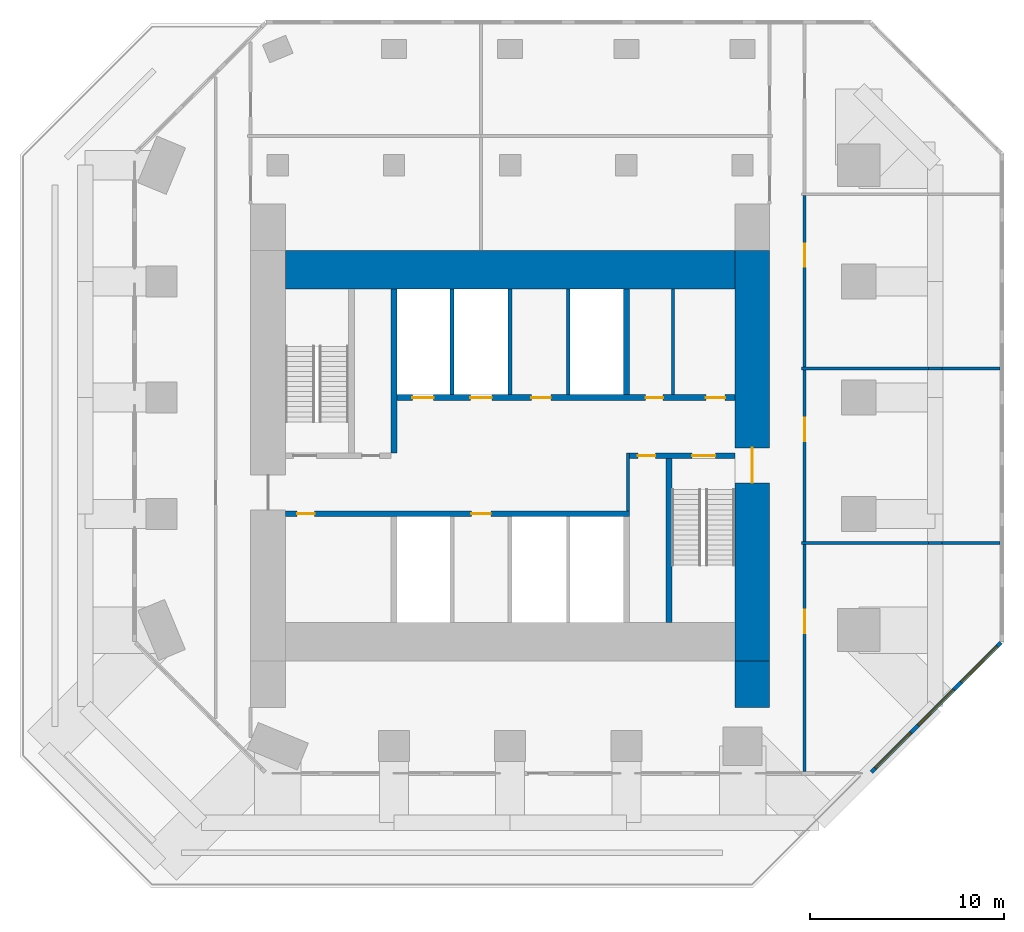
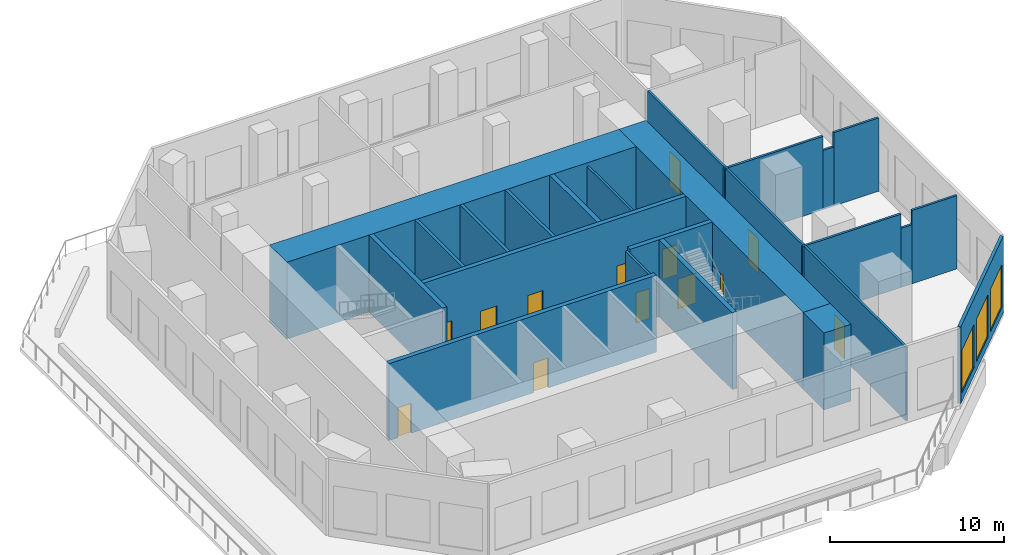
# One storey, part 3 of 6: 24 walls, 13 doors, 3 windows, 16 openings.
"""IFC4 building model written with IfcOpenShell, lengths in metres."""

from ifc_helpers import new_model, si_unit, direction, frame, frame_2d, origin, place, context, subcontext, project, spatial, rectangle, extrude, material, layer, layer_set, type_object, element, fill, save


model = new_model("IFC4")

# Units and contexts
model_context = context("Model", 3, precision=1e-05, world=origin(), true_north=direction((0.0, 1.0)))
body_context = subcontext(model_context, "Body", "Model", "MODEL_VIEW")
ifc_project = project(units=[si_unit("LENGTHUNIT", "METRE"), si_unit("AREAUNIT", "SQUARE_METRE"), si_unit("VOLUMEUNIT", "CUBIC_METRE"), si_unit("PLANEANGLEUNIT", "RADIAN"), si_unit("MASSUNIT", "GRAM", prefix="KILO")], contexts=[model_context])

# Site, building, storey
site_placement = place(None, origin())
site = spatial("IfcSite", under=ifc_project, at=site_placement, CompositionType="ELEMENT")
building_placement = place(site_placement, origin())
building = spatial("IfcBuilding", under=site, at=building_placement, Name="Highveld Stack Headquarters", CompositionType="ELEMENT")
storey_placement = place(building_placement, frame((0.0, 0.0, 239.60009765625)))
storey = spatial("IfcBuildingStorey", under=building, at=storey_placement, Name="L59", CompositionType="ELEMENT", Elevation=239.60009765625)

# Wall, opening, door
ifc_material_1 = material(Name="Concrete C60/75", Category="concrete")
ifc_layer_1 = layer(ifc_material_1, 1.800048828125)
ifc_layer_set_1 = layer_set([ifc_layer_1], Name="Concrete C60/75")
wall_type_1 = type_object("IfcWallType", Name="CORE WALL 1800 C60/75", PredefinedType="SHEAR", material=ifc_layer_set_1)
wall_1_placement = place(storey_placement, frame((18.5, -7.60009765625, 0.0), z_axis=(0.0, 0.0, 1.0), x_axis=(0.0, 1.0, 0.0)))
wall_1 = element("IfcWall", 1, at=wall_1_placement, inside=storey, type_object=wall_type_1, Name="Core wall E L59", PredefinedType="SHEAR", context=body_context, shape_type="SweptSolid", body=[
    extrude(rectangle(XDim=21.2001953125, YDim=1.800048828125, at=frame_2d((10.60009765625, 0.0))), origin(), (0.0, 0.0, 1.0), 5.39990234375),
])
opening_1_placement = place(wall_1_placement, frame((9.199951171875, 0.0, 0.0)))
opening_1 = element("IfcOpeningElement", 2, at=opening_1_placement, cuts=wall_1, Name="Opening L59-03", PredefinedType="OPENING", context=body_context, shape_type="SweptSolid", body=[
    extrude(rectangle(XDim=1.800048828125, YDim=2.39990234375, at=frame_2d((0.89990234375, 1.199951171875))), frame((0.0, 0.909912109375, 0.0), z_axis=(0.0, -1.0, 0.0), x_axis=(1.0, 0.0, 0.0)), (0.0, 0.0, 1.0), 1.820068359375),
])
ifc_material_2 = material(Name="Steel fire door", Category="steel")
door_type_1 = type_object("IfcDoorType", Name="LOBBY FIRE DOOR D4 1800x2400", OperationType="DOUBLE_DOOR_SINGLE_SWING", PredefinedType="DOOR", material=ifc_material_2)
door_1_placement = place(opening_1_placement, origin())
door_1 = element("IfcDoor", 3, at=door_1_placement, inside=storey, type_object=door_type_1, Name="Core east door L59", OperationType="DOUBLE_DOOR_SINGLE_SWING", OverallHeight=2.39990234375, OverallWidth=1.800048828125, PredefinedType="DOOR", context=body_context, shape_type="SweptSolid", body=[
    extrude(rectangle(XDim=1.800048828125, YDim=2.39990234375, at=frame_2d((0.89990234375, 1.199951171875))), frame((0.0, 0.02490234375, 0.0), z_axis=(0.0, -1.0, 0.0), x_axis=(1.0, 0.0, 0.0)), (0.0, 0.0, 1.0), 0.050048828125),
])
fill(opening_1, door_1)

# Wall
ifc_material_3 = material(Name="Concrete C60/75", Category="concrete")
ifc_layer_2 = layer(ifc_material_3, 2.0)
ifc_layer_set_2 = layer_set([ifc_layer_2], Name="Concrete C60/75")
wall_type_2 = type_object("IfcWallType", Name="CORE WALL 2000 C60/75", PredefinedType="SHEAR", material=ifc_layer_set_2)
wall_2_placement = place(storey_placement, frame((-5.60009765625, 12.60009765625, 0.0), z_axis=(0.0, 0.0, 1.0), x_axis=(1.0, 0.0, 0.0)))
element("IfcWall", 4, at=wall_2_placement, inside=storey, type_object=wall_type_2, Name="Core wall N L59", PredefinedType="SHEAR", context=body_context, shape_type="SweptSolid", body=[
    extrude(rectangle(XDim=23.2001953125, YDim=2.0, at=frame_2d((11.60009765625, 0.0))), origin(), (0.0, 0.0, 1.0), 5.39990234375),
])

# Wall, openings, doors
ifc_material_4 = material(Name="Concrete C60/75", Category="concrete")
ifc_layer_3 = layer(ifc_material_4, 0.300048828125)
ifc_layer_set_3 = layer_set([ifc_layer_3], Name="Concrete C60/75")
wall_type_3 = type_object("IfcWallType", Name="CORE WALL 300 C60/75", PredefinedType="SHEAR", material=ifc_layer_set_3)
wall_3_placement = place(storey_placement, frame((-5.60009765625, 0.0, 0.0), z_axis=(0.0, 0.0, 1.0), x_axis=(1.0, 0.0, 0.0)))
wall_3 = element("IfcWall", 5, at=wall_3_placement, inside=storey, type_object=wall_type_3, Name="Core wall I-Y0 L59", PredefinedType="SHEAR", context=body_context, shape_type="SweptSolid", body=[
    extrude(rectangle(XDim=17.75, YDim=0.300048828125, at=frame_2d((8.875, 0.0))), origin(), (0.0, 0.0, 1.0), 5.39990234375),
])
opening_2_placement = place(wall_3_placement, frame((0.60009765625, 0.0, 0.0)))
opening_2 = element("IfcOpeningElement", 6, at=opening_2_placement, cuts=wall_3, Name="Opening L59-08", PredefinedType="OPENING", context=body_context, shape_type="SweptSolid", body=[
    extrude(rectangle(XDim=0.89990234375, YDim=2.10009765625, at=frame_2d((0.449951171875, 1.050048828125))), frame((0.0, 0.159912109375, 0.0), z_axis=(0.0, -1.0, 0.0), x_axis=(1.0, 0.0, 0.0)), (0.0, 0.0, 1.0), 0.320068359375),
])
opening_3_placement = place(wall_3_placement, frame((9.60009765625, 0.0, 0.0)))
opening_3 = element("IfcOpeningElement", 7, at=opening_3_placement, cuts=wall_3, Name="Opening L59-12", PredefinedType="OPENING", context=body_context, shape_type="SweptSolid", body=[
    extrude(rectangle(XDim=1.0, YDim=2.10009765625, at=frame_2d((0.5, 1.050048828125))), frame((0.0, 0.159912109375, 0.0), z_axis=(0.0, -1.0, 0.0), x_axis=(1.0, 0.0, 0.0)), (0.0, 0.0, 1.0), 0.320068359375),
])
ifc_material_5 = material(Name="Steel fire door", Category="steel")
door_type_2 = type_object("IfcDoorType", Name="CORE ROOM FIRE DOOR D14 1000x2100", OperationType="SINGLE_SWING_LEFT", PredefinedType="DOOR", material=ifc_material_5)
door_2_placement = place(opening_3_placement, origin())
door_2 = element("IfcDoor", 8, at=door_2_placement, inside=storey, type_object=door_type_2, Name="Capped B 1 door L59", OperationType="SINGLE_SWING_RIGHT", OverallHeight=2.10009765625, OverallWidth=1.0, PredefinedType="DOOR", context=body_context, shape_type="SweptSolid", body=[
    extrude(rectangle(XDim=1.0, YDim=2.10009765625, at=frame_2d((0.5, 1.050048828125))), frame((0.0, 0.02490234375, 0.0), z_axis=(0.0, -1.0, 0.0), x_axis=(1.0, 0.0, 0.0)), (0.0, 0.0, 1.0), 0.050048828125),
])
fill(opening_3, door_2)
ifc_material_6 = material(Name="Timber door, painted", Category="wood")
door_type_3 = type_object("IfcDoorType", Name="WC DOOR D1 900x2100", OperationType="SINGLE_SWING_LEFT", PredefinedType="DOOR", material=ifc_material_6)
door_3_placement = place(opening_2_placement, origin())
door_3 = element("IfcDoor", 9, at=door_3_placement, inside=storey, type_object=door_type_3, Name="Female WC door L59", OperationType="SINGLE_SWING_LEFT", OverallHeight=2.10009765625, OverallWidth=0.89990234375, PredefinedType="DOOR", context=body_context, shape_type="SweptSolid", body=[
    extrude(rectangle(XDim=0.89990234375, YDim=2.10009765625, at=frame_2d((0.449951171875, 1.050048828125))), frame((0.0, 0.02490234375, 0.0), z_axis=(0.0, -1.0, 0.0), x_axis=(1.0, 0.0, 0.0)), (0.0, 0.0, 1.0), 0.050048828125),
])
fill(opening_2, door_3)

wall_4_placement = place(storey_placement, frame((12.14990234375, 3.0, 0.0), z_axis=(0.0, 0.0, 1.0), x_axis=(1.0, 0.0, 0.0)))
wall_4 = element("IfcWall", 10, at=wall_4_placement, inside=storey, type_object=wall_type_3, Name="Core wall I-Y3E L59", PredefinedType="SHEAR", context=body_context, shape_type="SweptSolid", body=[
    extrude(rectangle(XDim=5.4501953125, YDim=0.300048828125, at=frame_2d((2.72509765625, 0.0))), origin(), (0.0, 0.0, 1.0), 5.39990234375),
])
opening_4_placement = place(wall_4_placement, frame((3.25, 0.0, 0.0)))
opening_4 = element("IfcOpeningElement", 11, at=opening_4_placement, cuts=wall_4, Name="Opening L59-06", PredefinedType="OPENING", context=body_context, shape_type="SweptSolid", body=[
    extrude(rectangle(XDim=1.199951171875, YDim=2.10009765625, at=frame_2d((0.60009765625, 1.050048828125))), frame((0.0, 0.159912109375, 0.0), z_axis=(0.0, -1.0, 0.0), x_axis=(1.0, 0.0, 0.0)), (0.0, 0.0, 1.0), 0.320068359375),
])
opening_5_placement = place(wall_4_placement, frame((0.449951171875, 0.0, 0.0)))
opening_5 = element("IfcOpeningElement", 12, at=opening_5_placement, cuts=wall_4, Name="Opening L59-07", PredefinedType="OPENING", context=body_context, shape_type="SweptSolid", body=[
    extrude(rectangle(XDim=0.89990234375, YDim=2.10009765625, at=frame_2d((0.449951171875, 1.050048828125))), frame((0.0, 0.159912109375, 0.0), z_axis=(0.0, -1.0, 0.0), x_axis=(1.0, 0.0, 0.0)), (0.0, 0.0, 1.0), 0.320068359375),
])
ifc_material_7 = material(Name="Steel fire door", Category="steel")
door_type_4 = type_object("IfcDoorType", Name="RISER ACCESS DOOR D5 900x2100", OperationType="SINGLE_SWING_LEFT", PredefinedType="DOOR", material=ifc_material_7)
door_4_placement = place(opening_5_placement, origin())
door_4 = element("IfcDoor", 13, at=door_4_placement, inside=storey, type_object=door_type_4, Name="Riser R2 door L59", OperationType="SINGLE_SWING_LEFT", OverallHeight=2.10009765625, OverallWidth=0.89990234375, PredefinedType="DOOR", context=body_context, shape_type="SweptSolid", body=[
    extrude(rectangle(XDim=0.89990234375, YDim=2.10009765625, at=frame_2d((0.449951171875, 1.050048828125))), frame((0.0, 0.02490234375, 0.0), z_axis=(0.0, -1.0, 0.0), x_axis=(1.0, 0.0, 0.0)), (0.0, 0.0, 1.0), 0.050048828125),
])
fill(opening_5, door_4)
ifc_material_8 = material(Name="Steel fire door", Category="steel")
door_type_5 = type_object("IfcDoorType", Name="STAIR FIRE DOOR D3 1200x2100", OperationType="SINGLE_SWING_LEFT", PredefinedType="DOOR", material=ifc_material_8)
door_5_placement = place(opening_4_placement, origin())
door_5 = element("IfcDoor", 14, at=door_5_placement, inside=storey, type_object=door_type_5, Name="Stair S2 door L59", OperationType="SINGLE_SWING_RIGHT", OverallHeight=2.10009765625, OverallWidth=1.199951171875, PredefinedType="DOOR", context=body_context, shape_type="SweptSolid", body=[
    extrude(rectangle(XDim=1.199951171875, YDim=2.10009765625, at=frame_2d((0.60009765625, 1.050048828125))), frame((0.0, 0.02490234375, 0.0), z_axis=(0.0, -1.0, 0.0), x_axis=(1.0, 0.0, 0.0)), (0.0, 0.0, 1.0), 0.050048828125),
])
fill(opening_4, door_5)

wall_5_placement = place(storey_placement, frame((-0.14990234375, 6.0, 0.0), z_axis=(0.0, 0.0, 1.0), x_axis=(1.0, 0.0, 0.0)))
wall_5 = element("IfcWall", 15, at=wall_5_placement, inside=storey, type_object=wall_type_3, Name="Core wall I-Y6 L59", PredefinedType="SHEAR", context=body_context, shape_type="SweptSolid", body=[
    extrude(rectangle(XDim=17.75, YDim=0.300048828125, at=frame_2d((8.875, 0.0))), origin(), (0.0, 0.0, 1.0), 5.39990234375),
])
opening_6_placement = place(wall_5_placement, frame((13.14990234375, 0.0, 0.0)))
opening_6 = element("IfcOpeningElement", 16, at=opening_6_placement, cuts=wall_5, Name="Opening L59-09", PredefinedType="OPENING", context=body_context, shape_type="SweptSolid", body=[
    extrude(rectangle(XDim=0.89990234375, YDim=2.10009765625, at=frame_2d((0.449951171875, 1.050048828125))), frame((0.0, 0.159912109375, 0.0), z_axis=(0.0, -1.0, 0.0), x_axis=(1.0, 0.0, 0.0)), (0.0, 0.0, 1.0), 0.320068359375),
])
opening_7_placement = place(wall_5_placement, frame((16.25, 0.0, 0.0)))
opening_7 = element("IfcOpeningElement", 17, at=opening_7_placement, cuts=wall_5, Name="Opening L59-10", PredefinedType="OPENING", context=body_context, shape_type="SweptSolid", body=[
    extrude(rectangle(XDim=1.0, YDim=2.10009765625, at=frame_2d((0.5, 1.050048828125))), frame((0.0, 0.159912109375, 0.0), z_axis=(0.0, -1.0, 0.0), x_axis=(1.0, 0.0, 0.0)), (0.0, 0.0, 1.0), 0.320068359375),
])
opening_8_placement = place(wall_5_placement, frame((7.25, 0.0, 0.0)))
opening_8 = element("IfcOpeningElement", 18, at=opening_8_placement, cuts=wall_5, Name="Opening L59-11", PredefinedType="OPENING", context=body_context, shape_type="SweptSolid", body=[
    extrude(rectangle(XDim=1.0, YDim=2.10009765625, at=frame_2d((0.5, 1.050048828125))), frame((0.0, 0.159912109375, 0.0), z_axis=(0.0, -1.0, 0.0), x_axis=(1.0, 0.0, 0.0)), (0.0, 0.0, 1.0), 0.320068359375),
])
opening_9_placement = place(wall_5_placement, frame((1.10009765625, 0.0, 0.0)))
opening_9 = element("IfcOpeningElement", 19, at=opening_9_placement, cuts=wall_5, Name="Opening LD", PredefinedType="OPENING", context=body_context, shape_type="SweptSolid", body=[
    extrude(rectangle(XDim=1.10009765625, YDim=2.10009765625, at=frame_2d((0.550048828125, 1.050048828125))), frame((0.0, 0.159912109375, 0.0), z_axis=(0.0, -1.0, 0.0), x_axis=(1.0, 0.0, 0.0)), (0.0, 0.0, 1.0), 0.320068359375),
])
opening_10_placement = place(wall_5_placement, frame((4.10009765625, 0.0, 0.0)))
opening_10 = element("IfcOpeningElement", 20, at=opening_10_placement, cuts=wall_5, Name="Opening LD", PredefinedType="OPENING", context=body_context, shape_type="SweptSolid", body=[
    extrude(rectangle(XDim=1.10009765625, YDim=2.10009765625, at=frame_2d((0.550048828125, 1.050048828125))), frame((0.0, 0.159912109375, 0.0), z_axis=(0.0, -1.0, 0.0), x_axis=(1.0, 0.0, 0.0)), (0.0, 0.0, 1.0), 0.320068359375),
])
ifc_material_9 = material(Name="Timber door, painted", Category="wood")
door_type_6 = type_object("IfcDoorType", Name="ACCESSIBLE WC DOOR D2 1000x2100", OperationType="SINGLE_SWING_RIGHT", PredefinedType="DOOR", material=ifc_material_9)
door_6_placement = place(opening_7_placement, origin())
door_6 = element("IfcDoor", 21, at=door_6_placement, inside=storey, type_object=door_type_6, Name="Accessible WC door L59", OperationType="SINGLE_SWING_RIGHT", OverallHeight=2.10009765625, OverallWidth=1.0, PredefinedType="DOOR", context=body_context, shape_type="SweptSolid", body=[
    extrude(rectangle(XDim=1.0, YDim=2.10009765625, at=frame_2d((0.5, 1.050048828125))), frame((0.0, 0.02490234375, 0.0), z_axis=(0.0, -1.0, 0.0), x_axis=(1.0, 0.0, 0.0)), (0.0, 0.0, 1.0), 0.050048828125),
])
fill(opening_7, door_6)
door_7_placement = place(opening_8_placement, origin())
door_7 = element("IfcDoor", 22, at=door_7_placement, inside=storey, type_object=door_type_2, Name="Capped A 1 door L59", OperationType="SINGLE_SWING_LEFT", OverallHeight=2.10009765625, OverallWidth=1.0, PredefinedType="DOOR", context=body_context, shape_type="SweptSolid", body=[
    extrude(rectangle(XDim=1.0, YDim=2.10009765625, at=frame_2d((0.5, 1.050048828125))), frame((0.0, 0.02490234375, 0.0), z_axis=(0.0, -1.0, 0.0), x_axis=(1.0, 0.0, 0.0)), (0.0, 0.0, 1.0), 0.050048828125),
])
fill(opening_8, door_7)
ifc_material_10 = material(Name="Stainless steel lift landing door", Category="steel")
door_type_7 = type_object("IfcDoorType", Name="LIFT LANDING DOOR LD 1100x2100", OperationType="DOUBLE_DOOR_SLIDING", PredefinedType="USERDEFINED", material=ifc_material_10)
door_8_placement = place(opening_9_placement, origin())
door_8 = element("IfcDoor", 23, at=door_8_placement, inside=storey, type_object=door_type_7, Name="Lift landing door FF1 L59", ObjectType="LIFT LANDING DOOR", OperationType="DOUBLE_DOOR_SLIDING", OverallHeight=2.10009765625, OverallWidth=1.10009765625, PredefinedType="USERDEFINED", context=body_context, shape_type="SweptSolid", body=[
    extrude(rectangle(XDim=1.10009765625, YDim=2.10009765625, at=frame_2d((0.550048828125, 1.050048828125))), frame((0.0, 0.02490234375, 0.0), z_axis=(0.0, -1.0, 0.0), x_axis=(1.0, 0.0, 0.0)), (0.0, 0.0, 1.0), 0.050048828125),
])
fill(opening_9, door_8)
door_9_placement = place(opening_10_placement, origin())
door_9 = element("IfcDoor", 24, at=door_9_placement, inside=storey, type_object=door_type_7, Name="Lift landing door FF2 L59", ObjectType="LIFT LANDING DOOR", OperationType="DOUBLE_DOOR_SLIDING", OverallHeight=2.10009765625, OverallWidth=1.10009765625, PredefinedType="USERDEFINED", context=body_context, shape_type="SweptSolid", body=[
    extrude(rectangle(XDim=1.10009765625, YDim=2.10009765625, at=frame_2d((0.550048828125, 1.050048828125))), frame((0.0, 0.02490234375, 0.0), z_axis=(0.0, -1.0, 0.0), x_axis=(1.0, 0.0, 0.0)), (0.0, 0.0, 1.0), 0.050048828125),
])
fill(opening_10, door_9)
door_10_placement = place(opening_6_placement, origin())
door_10 = element("IfcDoor", 25, at=door_10_placement, inside=storey, type_object=door_type_3, Name="Male WC door L59", OperationType="SINGLE_SWING_RIGHT", OverallHeight=2.10009765625, OverallWidth=0.89990234375, PredefinedType="DOOR", context=body_context, shape_type="SweptSolid", body=[
    extrude(rectangle(XDim=0.89990234375, YDim=2.10009765625, at=frame_2d((0.449951171875, 1.050048828125))), frame((0.0, 0.02490234375, 0.0), z_axis=(0.0, -1.0, 0.0), x_axis=(1.0, 0.0, 0.0)), (0.0, 0.0, 1.0), 0.050048828125),
])
fill(opening_6, door_10)

# Walls
wall_6_placement = place(storey_placement, frame((0.0, 3.14990234375, 0.0), z_axis=(0.0, 0.0, 1.0), x_axis=(0.0, 1.0, 0.0)))
element("IfcWall", 26, at=wall_6_placement, inside=storey, type_object=wall_type_3, Name="Core wall I-X0N L59", PredefinedType="SHEAR", context=body_context, shape_type="SweptSolid", body=[
    extrude(rectangle(XDim=8.4501953125, YDim=0.300048828125, at=frame_2d((4.22509765625, 0.0))), origin(), (0.0, 0.0, 1.0), 5.39990234375),
])
wall_7_placement = place(storey_placement, frame((12.0, 6.14990234375, 0.0), z_axis=(0.0, 0.0, 1.0), x_axis=(0.0, 1.0, 0.0)))
element("IfcWall", 27, at=wall_7_placement, inside=storey, type_object=wall_type_3, Name="Core wall I-X12N L59", PredefinedType="SHEAR", context=body_context, shape_type="SweptSolid", body=[
    extrude(rectangle(XDim=5.4501953125, YDim=0.300048828125, at=frame_2d((2.72509765625, 0.0))), origin(), (0.0, 0.0, 1.0), 5.39990234375),
])
wall_8_placement = place(storey_placement, frame((14.199951171875, -5.60009765625, 0.0), z_axis=(0.0, 0.0, 1.0), x_axis=(0.0, 1.0, 0.0)))
element("IfcWall", 28, at=wall_8_placement, inside=storey, type_object=wall_type_3, Name="Core wall I-RE L59", PredefinedType="SHEAR", context=body_context, shape_type="SweptSolid", body=[
    extrude(rectangle(XDim=8.4501953125, YDim=0.300048828125, at=frame_2d((4.22509765625, 0.0))), origin(), (0.0, 0.0, 1.0), 5.39990234375),
])
ifc_material_11 = material(Name="Concrete C60/75", Category="concrete")
ifc_layer_4 = layer(ifc_material_11, 1.800048828125)
ifc_layer_set_4 = layer_set([ifc_layer_4], Name="Concrete C60/75")
wall_type_4 = type_object("IfcWallType", Name="CORE WING WALL 1800 C60/75", PredefinedType="SHEAR", material=ifc_layer_set_4)
wall_9_placement = place(storey_placement, frame((18.5, -10.0, 0.0), z_axis=(0.0, 0.0, 1.0), x_axis=(0.0, 1.0, 0.0)))
element("IfcWall", 29, at=wall_9_placement, inside=storey, type_object=wall_type_4, Name="Core wing wall ES L59", PredefinedType="SHEAR", context=body_context, shape_type="SweptSolid", body=[
    extrude(rectangle(XDim=2.39990234375, YDim=1.800048828125, at=frame_2d((1.199951171875, 0.0))), origin(), (0.0, 0.0, 1.0), 5.39990234375),
])

# Wall, opening, door
ifc_material_12 = material(Name="Concrete blockwork, plastered", Category="masonry")
ifc_layer_5 = layer(ifc_material_12, 0.14990234375)
ifc_layer_set_5 = layer_set([ifc_layer_5], Name="Concrete blockwork, plastered")
wall_type_5 = type_object("IfcWallType", Name="FIRE PARTITION 150 BLOCKWORK", PredefinedType="PARTITIONING", material=ifc_layer_set_5)
wall_10_placement = place(storey_placement, frame((21.199951171875, -13.300048828125, 0.0), z_axis=(0.0, 0.0, 1.0), x_axis=(0.0, 1.0, 0.0)))
wall_10 = element("IfcWall", 30, at=wall_10_placement, inside=storey, type_object=wall_type_5, Name="Partition office neighbourhood L59", PredefinedType="PARTITIONING", context=body_context, shape_type="SweptSolid", body=[
    extrude(rectangle(XDim=11.72509765625, YDim=0.14990234375, at=frame_2d((5.862548828125, 0.0))), origin(), (0.0, 0.0, 1.0), 5.14990234375),
])
opening_11_placement = place(wall_10_placement, frame((7.139892578125, 0.0, 0.0)))
opening_11 = element("IfcOpeningElement", 31, at=opening_11_placement, cuts=wall_10, Name="Opening L59-13", PredefinedType="OPENING", context=body_context, shape_type="SweptSolid", body=[
    extrude(rectangle(XDim=1.199951171875, YDim=2.39990234375, at=frame_2d((0.60009765625, 1.199951171875))), frame((0.0, 0.0849609375, 0.0), z_axis=(0.0, -1.0, 0.0), x_axis=(1.0, 0.0, 0.0)), (0.0, 0.0, 1.0), 0.169921875),
])
ifc_material_13 = material(Name="Steel fire door", Category="steel")
door_type_8 = type_object("IfcDoorType", Name="PLANT FIRE DOOR D7 1200x2400", OperationType="SINGLE_SWING_LEFT", PredefinedType="DOOR", material=ifc_material_13)
door_11_placement = place(opening_11_placement, origin())
door_11 = element("IfcDoor", 32, at=door_11_placement, inside=storey, type_object=door_type_8, Name="Plant room door L59", OperationType="SINGLE_SWING_RIGHT", OverallHeight=2.39990234375, OverallWidth=1.199951171875, PredefinedType="DOOR", context=body_context, shape_type="SweptSolid", body=[
    extrude(rectangle(XDim=1.199951171875, YDim=2.39990234375, at=frame_2d((0.60009765625, 1.199951171875))), frame((0.0, 0.02490234375, 0.0), z_axis=(0.0, -1.0, 0.0), x_axis=(1.0, 0.0, 0.0)), (0.0, 0.0, 1.0), 0.050048828125),
])
fill(opening_11, door_11)

wall_11_placement = place(storey_placement, frame((21.199951171875, -1.425048828125, 0.0), z_axis=(0.0, 0.0, 1.0), x_axis=(0.0, 1.0, 0.0)))
wall_11 = element("IfcWall", 33, at=wall_11_placement, inside=storey, type_object=wall_type_5, Name="Partition office neighbourhood L59", PredefinedType="PARTITIONING", context=body_context, shape_type="SweptSolid", body=[
    extrude(rectangle(XDim=8.85009765625, YDim=0.14990234375, at=frame_2d((4.425048828125, 0.0))), origin(), (0.0, 0.0, 1.0), 5.14990234375),
])
opening_12_placement = place(wall_11_placement, frame((5.175048828125, 0.0, 0.0)))
opening_12 = element("IfcOpeningElement", 34, at=opening_12_placement, cuts=wall_11, Name="Opening L59-14", PredefinedType="OPENING", context=body_context, shape_type="SweptSolid", body=[
    extrude(rectangle(XDim=1.199951171875, YDim=2.39990234375, at=frame_2d((0.60009765625, 1.199951171875))), frame((0.0, 0.0849609375, 0.0), z_axis=(0.0, -1.0, 0.0), x_axis=(1.0, 0.0, 0.0)), (0.0, 0.0, 1.0), 0.169921875),
])
door_12_placement = place(opening_12_placement, origin())
door_12 = element("IfcDoor", 35, at=door_12_placement, inside=storey, type_object=door_type_8, Name="Plant room door L59", OperationType="SINGLE_SWING_RIGHT", OverallHeight=2.39990234375, OverallWidth=1.199951171875, PredefinedType="DOOR", context=body_context, shape_type="SweptSolid", body=[
    extrude(rectangle(XDim=1.199951171875, YDim=2.39990234375, at=frame_2d((0.60009765625, 1.199951171875))), frame((0.0, 0.02490234375, 0.0), z_axis=(0.0, -1.0, 0.0), x_axis=(1.0, 0.0, 0.0)), (0.0, 0.0, 1.0), 0.050048828125),
])
fill(opening_12, door_12)

# Walls
wall_12_placement = place(storey_placement, frame((21.050048828125, -1.5, 0.0), z_axis=(0.0, 0.0, 1.0), x_axis=(1.0, 0.0, 0.0)))
element("IfcWall", 36, at=wall_12_placement, inside=storey, type_object=wall_type_5, Name="Partition office neighbourhood L59", PredefinedType="PARTITIONING", context=body_context, shape_type="SweptSolid", body=[
    extrude(rectangle(XDim=6.5400390625, YDim=0.14990234375, at=frame_2d((3.27001953125, 0.0))), origin(), (0.0, 0.0, 1.0), 5.14990234375),
])
wall_13_placement = place(storey_placement, frame((27.590087890625, -1.5, 0.0), z_axis=(0.0, 0.0, 1.0), x_axis=(1.0, 0.0, 0.0)))
element("IfcWall", 37, at=wall_13_placement, inside=storey, type_object=wall_type_5, Name="Partition office neighbourhood L59", PredefinedType="PARTITIONING", context=body_context, shape_type="SweptSolid", body=[
    extrude(rectangle(XDim=0.719970703125, YDim=0.14990234375, at=frame_2d((0.35986328125, 0.0))), origin(), (0.0, 0.0, 1.0), 4.14990234375),
])
wall_14_placement = place(storey_placement, frame((28.31005859375, -1.5, 0.0), z_axis=(0.0, 0.0, 1.0), x_axis=(1.0, 0.0, 0.0)))
element("IfcWall", 38, at=wall_14_placement, inside=storey, type_object=wall_type_5, Name="Partition office neighbourhood L59", PredefinedType="PARTITIONING", context=body_context, shape_type="SweptSolid", body=[
    extrude(rectangle(XDim=2.989990234375, YDim=0.14990234375, at=frame_2d((1.4951171875, 0.0))), origin(), (0.0, 0.0, 1.0), 5.14990234375),
])

# Wall, opening, door
wall_15_placement = place(storey_placement, frame((21.199951171875, 7.574951171875, 0.0), z_axis=(0.0, 0.0, 1.0), x_axis=(0.0, 1.0, 0.0)))
wall_15 = element("IfcWall", 39, at=wall_15_placement, inside=storey, type_object=wall_type_5, Name="Partition office neighbourhood L59", PredefinedType="PARTITIONING", context=body_context, shape_type="SweptSolid", body=[
    extrude(rectangle(XDim=8.85009765625, YDim=0.14990234375, at=frame_2d((4.425048828125, 0.0))), origin(), (0.0, 0.0, 1.0), 5.14990234375),
])
opening_13_placement = place(wall_15_placement, frame((5.175048828125, 0.0, 0.0)))
opening_13 = element("IfcOpeningElement", 40, at=opening_13_placement, cuts=wall_15, Name="Opening L59-16", PredefinedType="OPENING", context=body_context, shape_type="SweptSolid", body=[
    extrude(rectangle(XDim=1.199951171875, YDim=2.39990234375, at=frame_2d((0.60009765625, 1.199951171875))), frame((0.0, 0.0849609375, 0.0), z_axis=(0.0, -1.0, 0.0), x_axis=(1.0, 0.0, 0.0)), (0.0, 0.0, 1.0), 0.169921875),
])
door_13_placement = place(opening_13_placement, origin())
door_13 = element("IfcDoor", 41, at=door_13_placement, inside=storey, type_object=door_type_8, Name="Plant room door L59", OperationType="SINGLE_SWING_RIGHT", OverallHeight=2.39990234375, OverallWidth=1.199951171875, PredefinedType="DOOR", context=body_context, shape_type="SweptSolid", body=[
    extrude(rectangle(XDim=1.199951171875, YDim=2.39990234375, at=frame_2d((0.60009765625, 1.199951171875))), frame((0.0, 0.02490234375, 0.0), z_axis=(0.0, -1.0, 0.0), x_axis=(1.0, 0.0, 0.0)), (0.0, 0.0, 1.0), 0.050048828125),
])
fill(opening_13, door_13)

# Walls
wall_16_placement = place(storey_placement, frame((21.050048828125, 7.5, 0.0), z_axis=(0.0, 0.0, 1.0), x_axis=(1.0, 0.0, 0.0)))
element("IfcWall", 42, at=wall_16_placement, inside=storey, type_object=wall_type_5, Name="Partition office neighbourhood L59", PredefinedType="PARTITIONING", context=body_context, shape_type="SweptSolid", body=[
    extrude(rectangle(XDim=6.5400390625, YDim=0.14990234375, at=frame_2d((3.27001953125, 0.0))), origin(), (0.0, 0.0, 1.0), 5.14990234375),
])
wall_17_placement = place(storey_placement, frame((27.590087890625, 7.5, 0.0), z_axis=(0.0, 0.0, 1.0), x_axis=(1.0, 0.0, 0.0)))
element("IfcWall", 43, at=wall_17_placement, inside=storey, type_object=wall_type_5, Name="Partition office neighbourhood L59", PredefinedType="PARTITIONING", context=body_context, shape_type="SweptSolid", body=[
    extrude(rectangle(XDim=0.719970703125, YDim=0.14990234375, at=frame_2d((0.35986328125, 0.0))), origin(), (0.0, 0.0, 1.0), 4.14990234375),
])
wall_18_placement = place(storey_placement, frame((28.31005859375, 7.5, 0.0), z_axis=(0.0, 0.0, 1.0), x_axis=(1.0, 0.0, 0.0)))
element("IfcWall", 44, at=wall_18_placement, inside=storey, type_object=wall_type_5, Name="Partition office neighbourhood L59", PredefinedType="PARTITIONING", context=body_context, shape_type="SweptSolid", body=[
    extrude(rectangle(XDim=2.989990234375, YDim=0.14990234375, at=frame_2d((1.4951171875, 0.0))), origin(), (0.0, 0.0, 1.0), 5.14990234375),
])
wall_19_placement = place(storey_placement, frame((12.074951171875, 0.14990234375, 0.0), z_axis=(0.0, 0.0, 1.0), x_axis=(0.0, 1.0, 0.0)))
element("IfcWall", 45, at=wall_19_placement, inside=storey, type_object=wall_type_5, Name="Riser R2 enclosure L59", PredefinedType="PARTITIONING", context=body_context, shape_type="SweptSolid", body=[
    extrude(rectangle(XDim=3.0, YDim=0.14990234375, at=frame_2d((1.5, 0.0))), origin(), (0.0, 0.0, 1.0), 5.14990234375),
])
ifc_material_14 = material(Name="Concrete blockwork, fair-faced", Category="masonry")
ifc_layer_6 = layer(ifc_material_14, 0.199951171875)
ifc_layer_set_6 = layer_set([ifc_layer_6], Name="Concrete blockwork, fair-faced")
wall_type_6 = type_object("IfcWallType", Name="LIFT SHAFT ENCLOSURE WALL 200 BLOCKWORK", PredefinedType="SOLIDWALL", material=ifc_layer_set_6)
for number, where, z_axis, x_axis, name in (
    (46, (3.0, 6.14990234375, 0.0), (0.0, 0.0, 1.0), (0.0, 1.0, 0.0), "Lift shaft wall L59"),
    (47, (6.0, 6.14990234375, 0.0), (0.0, 0.0, 1.0), (0.0, 1.0, 0.0), "Lift shaft wall L59"),
    (48, (9.0, 6.14990234375, 0.0), (0.0, 0.0, 1.0), (0.0, 1.0, 0.0), "Lift shaft wall L59"),
):
    element("IfcWall", number, at=place(storey_placement, frame(where, z_axis=z_axis, x_axis=x_axis)), inside=storey, type_object=wall_type_6, Name=name, PredefinedType="SOLIDWALL", context=body_context, shape_type="SweptSolid", body=[
        extrude(rectangle(XDim=5.4501953125, YDim=0.199951171875, at=frame_2d((2.72509765625, 0.0))), origin(), (0.0, 0.0, 1.0), 5.39990234375),
    ])

# Wall, openings, windows
ifc_material_15 = material(Name="Concrete C40/50, precast cladding", Category="concrete")
ifc_layer_7 = layer(ifc_material_15, 0.199951171875)
ifc_layer_set_7 = layer_set([ifc_layer_7], Name="Concrete C40/50, precast cladding")
wall_type_7 = type_object("IfcWallType", Name="PRECAST LOUVRE WALL 200", PredefinedType="USERDEFINED", material=ifc_layer_set_7)
wall_20_placement = place(storey_placement, frame((24.650634765625, -13.329345703125, 0.0), z_axis=(0.0, 0.0, 1.0), x_axis=(0.707106781187, 0.707106781187, 0.0)))
wall_20 = element("IfcWall", 49, at=wall_20_placement, inside=storey, type_object=wall_type_7, Name="Precast louvre wall L59 SE", ObjectType="PRECAST CLADDING", PredefinedType="USERDEFINED", context=body_context, shape_type="SweptSolid", body=[
    extrude(rectangle(XDim=9.445068359375, YDim=0.199951171875, at=frame_2d((4.72265625, 0.0))), origin(), (0.0, 0.0, 1.0), 5.39990234375),
])
opening_14_placement = place(wall_20_placement, frame((0.274169921875, 0.0, 0.60009765625)))
opening_14 = element("IfcOpeningElement", 50, at=opening_14_placement, cuts=wall_20, Name="Opening L2", PredefinedType="OPENING", context=body_context, shape_type="SweptSolid", body=[
    extrude(rectangle(XDim=2.60009765625, YDim=3.0, at=frame_2d((1.300048828125, 1.5))), frame((0.0, 0.10986328125, 0.0), z_axis=(0.0, -1.0, 0.0), x_axis=(1.0, 0.0, 0.0)), (0.0, 0.0, 1.0), 0.219970703125),
])
opening_15_placement = place(wall_20_placement, frame((3.422607421875, 0.0, 0.60009765625)))
opening_15 = element("IfcOpeningElement", 51, at=opening_15_placement, cuts=wall_20, Name="Opening L2", PredefinedType="OPENING", context=body_context, shape_type="SweptSolid", body=[
    extrude(rectangle(XDim=2.60009765625, YDim=3.0, at=frame_2d((1.300048828125, 1.5))), frame((0.0, 0.10986328125, 0.0), z_axis=(0.0, -1.0, 0.0), x_axis=(1.0, 0.0, 0.0)), (0.0, 0.0, 1.0), 0.219970703125),
])
opening_16_placement = place(wall_20_placement, frame((6.57080078125, 0.0, 0.60009765625)))
opening_16 = element("IfcOpeningElement", 52, at=opening_16_placement, cuts=wall_20, Name="Opening L2", PredefinedType="OPENING", context=body_context, shape_type="SweptSolid", body=[
    extrude(rectangle(XDim=2.60009765625, YDim=3.0, at=frame_2d((1.300048828125, 1.5))), frame((0.0, 0.10986328125, 0.0), z_axis=(0.0, -1.0, 0.0), x_axis=(1.0, 0.0, 0.0)), (0.0, 0.0, 1.0), 0.219970703125),
])
ifc_material_16 = material(Name="Aluminium bronze anodised", Category="aluminium")
window_type = type_object("IfcWindowType", Name="LOUVRE L2 2400x3000 CHAMFER", PartitioningType="SINGLE_PANEL", PredefinedType="USERDEFINED", material=ifc_material_16)
window_1_placement = place(opening_14_placement, origin())
window_1 = element("IfcWindow", 53, at=window_1_placement, inside=storey, type_object=window_type, Name="Louvre L59 SE 1", ObjectType="LOUVRE", OverallHeight=3.0, OverallWidth=2.60009765625, PartitioningType="SINGLE_PANEL", PredefinedType="USERDEFINED", context=body_context, shape_type="SweptSolid", body=[
    extrude(rectangle(XDim=2.60009765625, YDim=3.0, at=frame_2d((1.300048828125, 1.5))), frame((0.0, 0.030029296875, 0.0), z_axis=(0.0, -1.0, 0.0), x_axis=(1.0, 0.0, 0.0)), (0.0, 0.0, 1.0), 0.06005859375),
])
fill(opening_14, window_1)
window_2_placement = place(opening_15_placement, origin())
window_2 = element("IfcWindow", 54, at=window_2_placement, inside=storey, type_object=window_type, Name="Louvre L59 SE 2", ObjectType="LOUVRE", OverallHeight=3.0, OverallWidth=2.60009765625, PartitioningType="SINGLE_PANEL", PredefinedType="USERDEFINED", context=body_context, shape_type="SweptSolid", body=[
    extrude(rectangle(XDim=2.60009765625, YDim=3.0, at=frame_2d((1.300048828125, 1.5))), frame((0.0, 0.030029296875, 0.0), z_axis=(0.0, -1.0, 0.0), x_axis=(1.0, 0.0, 0.0)), (0.0, 0.0, 1.0), 0.06005859375),
])
fill(opening_15, window_2)
window_3_placement = place(opening_16_placement, origin())
window_3 = element("IfcWindow", 55, at=window_3_placement, inside=storey, type_object=window_type, Name="Louvre L59 SE 3", ObjectType="LOUVRE", OverallHeight=3.0, OverallWidth=2.60009765625, PartitioningType="SINGLE_PANEL", PredefinedType="USERDEFINED", context=body_context, shape_type="SweptSolid", body=[
    extrude(rectangle(XDim=2.60009765625, YDim=3.0, at=frame_2d((1.300048828125, 1.5))), frame((0.0, 0.030029296875, 0.0), z_axis=(0.0, -1.0, 0.0), x_axis=(1.0, 0.0, 0.0)), (0.0, 0.0, 1.0), 0.06005859375),
])
fill(opening_16, window_3)

# Wall
ifc_material_17 = material(Name="Concrete blockwork, tiled", Category="masonry")
ifc_layer_8 = layer(ifc_material_17, 0.14990234375)
ifc_layer_set_8 = layer_set([ifc_layer_8], Name="Concrete blockwork, tiled")
wall_type_8 = type_object("IfcWallType", Name="WC PARTITION 150", PredefinedType="PLUMBINGWALL", material=ifc_layer_set_8)
wall_21_placement = place(storey_placement, frame((14.39990234375, 6.14990234375, 0.0), z_axis=(0.0, 0.0, 1.0), x_axis=(0.0, 1.0, 0.0)))
element("IfcWall", 56, at=wall_21_placement, inside=storey, type_object=wall_type_8, Name="Toilet partition L59", PredefinedType="PLUMBINGWALL", context=body_context, shape_type="SweptSolid", body=[
    extrude(rectangle(XDim=5.4501953125, YDim=0.14990234375, at=frame_2d((2.72509765625, 0.0))), origin(), (0.0, 0.0, 1.0), 5.14990234375),
])

save(model, "model.ifc")
